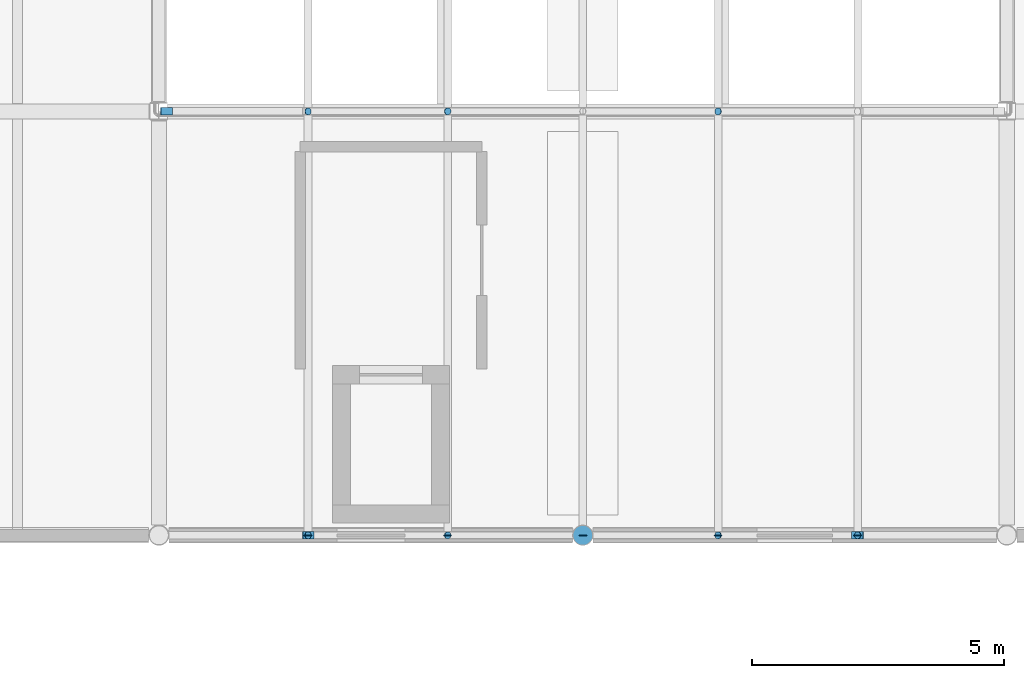
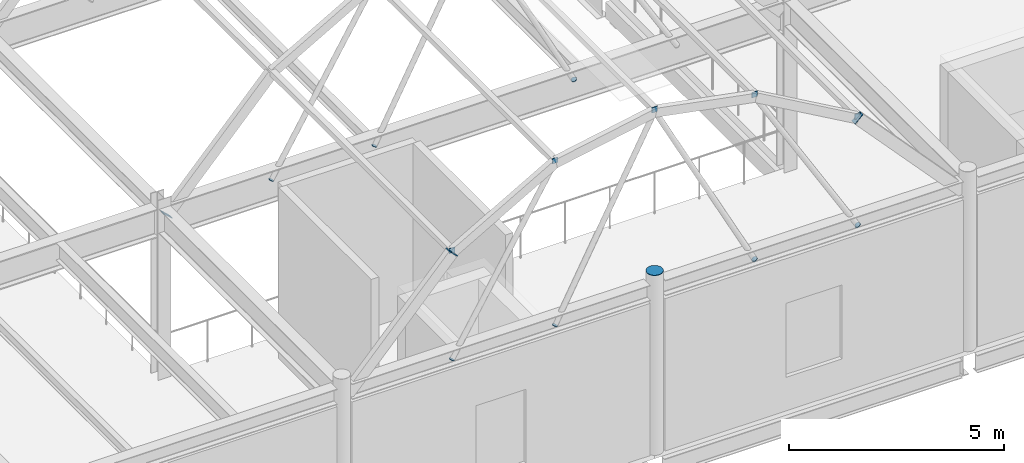
# One storey, part 74 of 103: 16 discrete accessories.
"""IFC4 building model written with IfcOpenShell, lengths in metres."""

from ifc_helpers import new_model, si_unit, direction, frame, origin, origin_2d, place, context, subcontext, project, spatial, rectangle, circle, extrude, material, type_object, element, save


model = new_model("IFC4")

# Units and contexts
model_context = context("Model", 3, precision=1e-05, world=origin(), true_north=direction((0.0, 1.0)))
body_context = subcontext(model_context, "Body", "Model", "MODEL_VIEW")
ifc_project = project(units=[si_unit("LENGTHUNIT", "METRE"), si_unit("AREAUNIT", "SQUARE_METRE"), si_unit("VOLUMEUNIT", "CUBIC_METRE"), si_unit("PLANEANGLEUNIT", "RADIAN"), si_unit("MASSUNIT", "GRAM", prefix="KILO"), si_unit("THERMODYNAMICTEMPERATUREUNIT", "KELVIN")], contexts=[model_context])

# Site, building, storey
site_placement = place(None, origin())
site = spatial("IfcSite", under=ifc_project, at=site_placement, CompositionType="ELEMENT")
building_placement = place(site_placement, origin())
building = spatial("IfcBuilding", under=site, at=building_placement, Name="Lustrewick Department Store", CompositionType="ELEMENT")
storey_placement = place(building_placement, frame((0.0, 0.0, 16.5)))
storey = spatial("IfcBuildingStorey", under=building, at=storey_placement, Name="L04", CompositionType="ELEMENT", Elevation=16.5)

# Discrete accessories
ifc_material = material(Name="Structural steel Q355C", Category="steel")
discrete_accessory_type = type_object("IfcDiscreteAccessoryType", Name="ECP-01", PredefinedType="USERDEFINED", material=ifc_material)
for number, where, z_axis, x_axis, name in (
    (1, (86.675537109375, 50.39990234375, 4.50048828125), (0.462788020817, 0.0, -0.886468977341), (0.0, -1.0, 0.0), "L04 Welded Hollow-Section End-Cap Plate ECP-01"),
    (2, (86.675537109375, 42.0, 4.50048828125), (0.462788020817, 0.0, -0.886468977341), (0.0, -1.0, 0.0), "L04 Welded Hollow-Section End-Cap Plate ECP-01"),
):
    element("IfcDiscreteAccessory", number, at=place(storey_placement, frame(where, z_axis=z_axis, x_axis=x_axis)), inside=storey, type_object=discrete_accessory_type, Name=name, ObjectType="END_CAP_PLATE", PredefinedType="USERDEFINED", context=body_context, shape_type="SweptSolid", body=[
        extrude(circle(Radius=0.070068359375, at=origin_2d()), origin(), (0.0, 0.0, 1.0), 0.01611328125),
    ])
discrete_accessory_1_placement = place(storey_placement, frame((78.554443359375, 42.006103515625, 7.585205078125), z_axis=(0.0, -1.0, 0.0), x_axis=(-1.0, 0.0, 0.0)))
element("IfcDiscreteAccessory", 3, at=discrete_accessory_1_placement, inside=storey, type_object=discrete_accessory_type, Name="L04 Welded Hollow-Section End-Cap Plate ECP-01", ObjectType="END_CAP_PLATE", PredefinedType="USERDEFINED", context=body_context, shape_type="SweptSolid", body=[
    extrude(rectangle(XDim=0.14990234375, YDim=0.14990234375, at=origin_2d()), origin(), (0.0, 0.0, 1.0), 0.01611328125),
])
for number, where, z_axis, x_axis, name in (
    (4, (78.55810546875, 50.39990234375, 4.500244140625), (-0.513782216913, 0.0, -0.857920645272), (0.0, 1.0, 0.0), "L04 Welded Hollow-Section End-Cap Plate ECP-01"),
    (5, (81.324462890625, 42.0, 4.50048828125), (-0.462788020817, 0.0, -0.886468977341), (0.0, 1.0, 0.0), "L04 Welded Hollow-Section End-Cap Plate ECP-01"),
):
    element("IfcDiscreteAccessory", number, at=place(storey_placement, frame(where, z_axis=z_axis, x_axis=x_axis)), inside=storey, type_object=discrete_accessory_type, Name=name, ObjectType="END_CAP_PLATE", PredefinedType="USERDEFINED", context=body_context, shape_type="SweptSolid", body=[
        extrude(circle(Radius=0.070068359375, at=origin_2d()), origin(), (0.0, 0.0, 1.0), 0.01611328125),
    ])
for number, where, z_axis, x_axis, name in (
    (6, (89.445556640625, 42.006103515625, 7.585205078125), (0.0, -1.0, 0.0), (-1.0, 0.0, 0.0), "L04 Welded Hollow-Section End-Cap Plate ECP-01"),
    (7, (81.3212890625, 42.006103515625, 9.166259765625), (0.0, -1.0, 0.0), (-1.0, 0.0, 0.0), "L04 Welded Hollow-Section End-Cap Plate ECP-01"),
    (8, (86.6787109375, 42.006103515625, 9.166259765625), (0.0, -1.0, 0.0), (-1.0, 0.0, 0.0), "L04 Welded Hollow-Section End-Cap Plate ECP-01"),
):
    element("IfcDiscreteAccessory", number, at=place(storey_placement, frame(where, z_axis=z_axis, x_axis=x_axis)), inside=storey, type_object=discrete_accessory_type, Name=name, ObjectType="END_CAP_PLATE", PredefinedType="USERDEFINED", context=body_context, shape_type="SweptSolid", body=[
        extrude(rectangle(XDim=0.14990234375, YDim=0.14990234375, at=origin_2d()), origin(), (0.0, 0.0, 1.0), 0.01611328125),
    ])
discrete_accessory_2_placement = place(storey_placement, frame((84.0, 42.0, 5.093994140625), z_axis=(0.0, 0.0, 1.0), x_axis=(1.0, 0.0, 0.0)))
element("IfcDiscreteAccessory", 9, at=discrete_accessory_2_placement, inside=storey, type_object=discrete_accessory_type, Name="L04 Welded Hollow-Section End-Cap Plate ECP-01", ObjectType="END_CAP_PLATE", PredefinedType="USERDEFINED", context=body_context, shape_type="SweptSolid", body=[
    extrude(circle(Radius=0.202880859375, at=origin_2d()), origin(), (0.0, 0.0, 1.0), 0.01611328125),
])
discrete_accessory_3_placement = place(storey_placement, frame((75.754150390625, 50.39990234375, 4.49951171875), z_axis=(-0.678233515991, 0.0, -0.734846445039), x_axis=(0.0, 1.0, 0.0)))
element("IfcDiscreteAccessory", 10, at=discrete_accessory_3_placement, inside=storey, type_object=discrete_accessory_type, Name="L04 Welded Hollow-Section End-Cap Plate ECP-01", ObjectType="END_CAP_PLATE", PredefinedType="USERDEFINED", context=body_context, shape_type="SweptSolid", body=[
    extrude(rectangle(XDim=0.14990234375, YDim=0.300048828125, at=origin_2d()), origin(), (0.0, 0.0, 1.0), 0.01611328125),
])
discrete_accessory_4_placement = place(storey_placement, frame((89.44189453125, 42.0, 4.500244140625), z_axis=(0.513782216913, 0.0, -0.857920645272), x_axis=(0.0, -1.0, 0.0)))
element("IfcDiscreteAccessory", 11, at=discrete_accessory_4_placement, inside=storey, type_object=discrete_accessory_type, Name="L04 Welded Hollow-Section End-Cap Plate ECP-01", ObjectType="END_CAP_PLATE", PredefinedType="USERDEFINED", context=body_context, shape_type="SweptSolid", body=[
    extrude(circle(Radius=0.070068359375, at=origin_2d()), origin(), (0.0, 0.0, 1.0), 0.01611328125),
])
discrete_accessory_5_placement = place(storey_placement, frame((89.44921875, 42.0, 7.52978515625), z_axis=(-0.678233515991, 0.0, 0.734846445039), x_axis=(0.0, 1.0, 0.0)))
element("IfcDiscreteAccessory", 12, at=discrete_accessory_5_placement, inside=storey, type_object=discrete_accessory_type, Name="L04 Welded Hollow-Section End-Cap Plate ECP-01", ObjectType="END_CAP_PLATE", PredefinedType="USERDEFINED", context=body_context, shape_type="SweptSolid", body=[
    extrude(rectangle(XDim=0.14990234375, YDim=0.300048828125, at=origin_2d()), origin(), (0.0, 0.0, 1.0), 0.01611328125),
])
discrete_accessory_6_placement = place(storey_placement, frame((84.0, 42.006103515625, 9.67626953125), z_axis=(0.0, -1.0, 0.0), x_axis=(-1.0, 0.0, 0.0)))
element("IfcDiscreteAccessory", 13, at=discrete_accessory_6_placement, inside=storey, type_object=discrete_accessory_type, Name="L04 Welded Hollow-Section End-Cap Plate ECP-01", ObjectType="END_CAP_PLATE", PredefinedType="USERDEFINED", context=body_context, shape_type="SweptSolid", body=[
    extrude(rectangle(XDim=0.14990234375, YDim=0.14990234375, at=origin_2d()), origin(), (0.0, 0.0, 1.0), 0.01611328125),
])
discrete_accessory_7_placement = place(storey_placement, frame((78.55810546875, 42.0, 4.500244140625), z_axis=(-0.513782216913, 0.0, -0.857920645272), x_axis=(0.0, 1.0, 0.0)))
element("IfcDiscreteAccessory", 14, at=discrete_accessory_7_placement, inside=storey, type_object=discrete_accessory_type, Name="L04 Welded Hollow-Section End-Cap Plate ECP-01", ObjectType="END_CAP_PLATE", PredefinedType="USERDEFINED", context=body_context, shape_type="SweptSolid", body=[
    extrude(circle(Radius=0.070068359375, at=origin_2d()), origin(), (0.0, 0.0, 1.0), 0.01611328125),
])
discrete_accessory_8_placement = place(storey_placement, frame((78.551025390625, 42.0, 7.52978515625), z_axis=(0.678233515991, 0.0, 0.734846445039), x_axis=(0.0, 1.0, 0.0)))
element("IfcDiscreteAccessory", 15, at=discrete_accessory_8_placement, inside=storey, type_object=discrete_accessory_type, Name="L04 Welded Hollow-Section End-Cap Plate ECP-01", ObjectType="END_CAP_PLATE", PredefinedType="USERDEFINED", context=body_context, shape_type="SweptSolid", body=[
    extrude(rectangle(XDim=0.14990234375, YDim=0.300048828125, at=origin_2d()), origin(), (0.0, 0.0, 1.0), 0.01611328125),
])
discrete_accessory_9_placement = place(storey_placement, frame((81.324462890625, 50.39990234375, 4.50048828125), z_axis=(-0.462788020817, 0.0, -0.886468977341), x_axis=(0.0, 1.0, 0.0)))
element("IfcDiscreteAccessory", 16, at=discrete_accessory_9_placement, inside=storey, type_object=discrete_accessory_type, Name="L04 Welded Hollow-Section End-Cap Plate ECP-01", ObjectType="END_CAP_PLATE", PredefinedType="USERDEFINED", context=body_context, shape_type="SweptSolid", body=[
    extrude(circle(Radius=0.070068359375, at=origin_2d()), origin(), (0.0, 0.0, 1.0), 0.01611328125),
])

save(model, "model.ifc")
